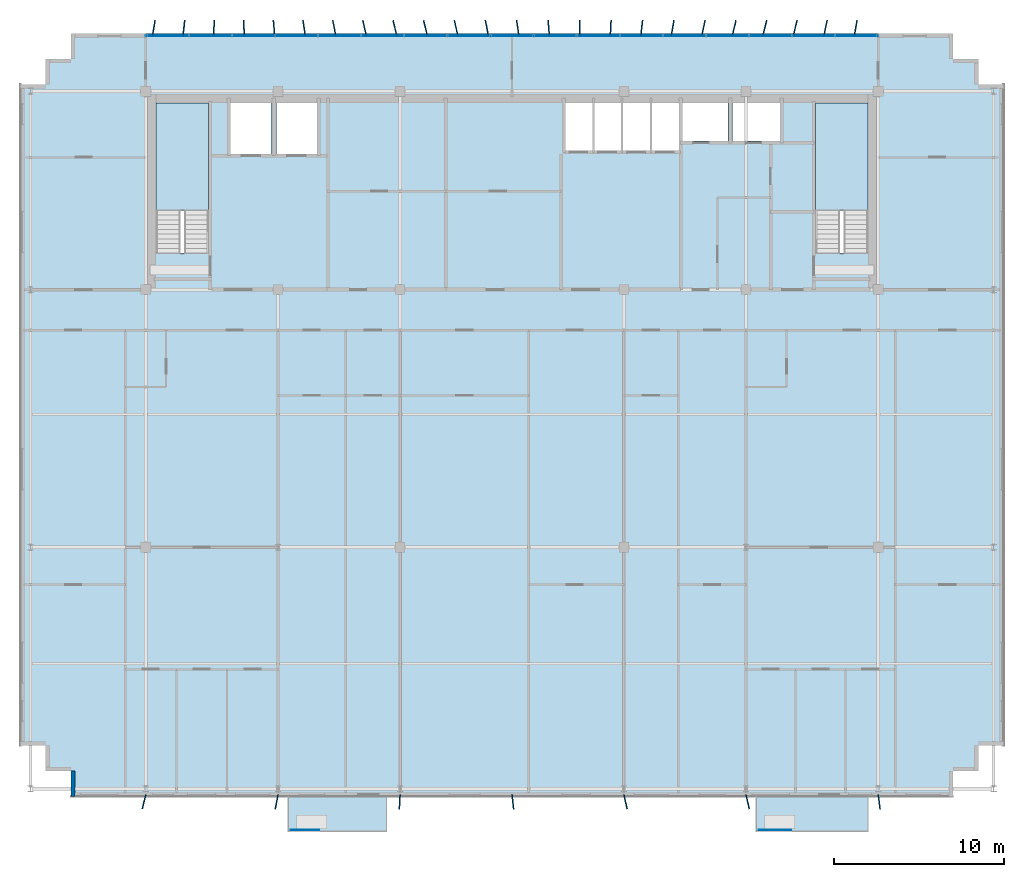
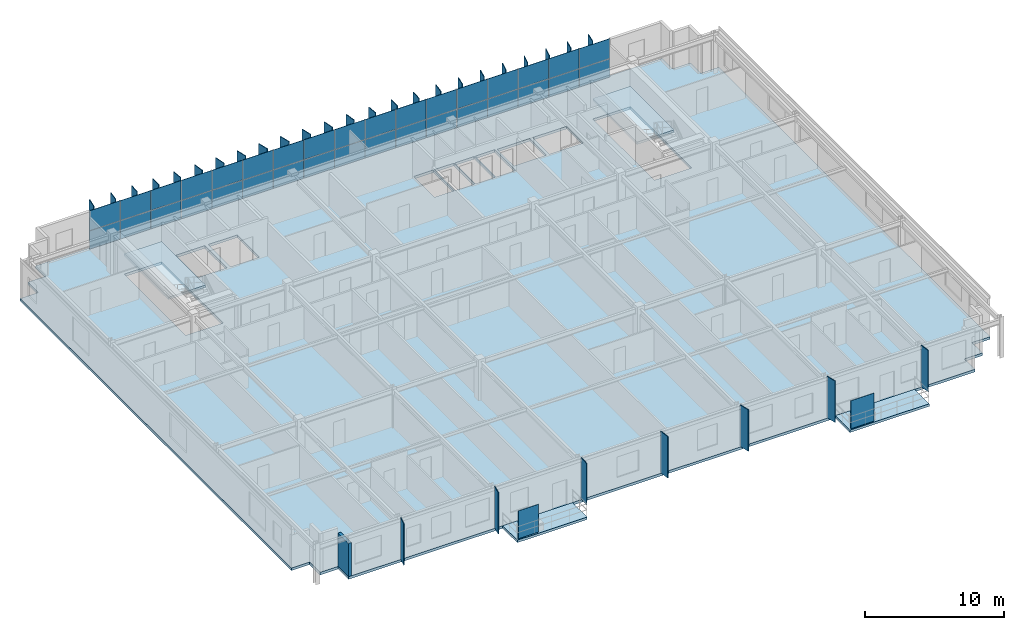
# One storey, part 15 of 22: 67 plates, 5 slabs, 1 wall, 3 elements without a shape of their own.
"""IFC4 building model written with IfcOpenShell, lengths in metres."""

from ifc_helpers import new_model, si_unit, direction, frame, frame_2d, origin, origin_2d, place, context, subcontext, project, spatial, polyline, rectangle, outline, extrude, source, transform, mapped, material, layer, layer_set, type_object, element, aggregate, save


model = new_model("IFC4")

# Units and contexts
model_context = context("Model", 3, precision=1e-05, world=origin(), true_north=direction((0.0, 1.0)))
body_context = subcontext(model_context, "Body", "Model", "MODEL_VIEW")
ifc_project = project(units=[si_unit("LENGTHUNIT", "METRE"), si_unit("AREAUNIT", "SQUARE_METRE"), si_unit("VOLUMEUNIT", "CUBIC_METRE"), si_unit("PLANEANGLEUNIT", "RADIAN"), si_unit("MASSUNIT", "GRAM", prefix="KILO")], contexts=[model_context])

# Site, building, storey
site_placement = place(None, origin())
site = spatial("IfcSite", under=ifc_project, at=site_placement, CompositionType="ELEMENT")
building_placement = place(site_placement, origin())
building = spatial("IfcBuilding", under=site, at=building_placement, Name="Trelvane Seafront Commons", CompositionType="ELEMENT")
storey_placement = place(building_placement, frame((0.0, 0.0, 281.10009765625)))
storey = spatial("IfcBuildingStorey", under=building, at=storey_placement, Name="L73", CompositionType="ELEMENT", Elevation=281.10009765625)

# Slabs
ifc_material_1 = material(Name="Concrete C40/50", Category="concrete")
ifc_layer_1 = layer(ifc_material_1, 0.219970703125, Name="ARCH-BALC-220")
ifc_layer_set_1 = layer_set([ifc_layer_1], Name="Concrete C40/50")
slab_type_1 = type_object("IfcSlabType", Name="ARCH-BALC-220", PredefinedType="FLOOR", material=ifc_layer_set_1)
slab_1_placement = place(storey_placement, frame((0.0, 0.0, -0.22021484375)))
element("IfcSlab", 1, at=slab_1_placement, inside=storey, type_object=slab_type_1, Name="L73 Cantilevered Tree Balcony Loggia 2", PredefinedType="FLOOR", context=body_context, shape_type="SweptSolid", body=[
    extrude(outline(polyline([(24.0, 1.39990234375), (29.800048828125, 1.39990234375), (29.800048828125, 3.5), (24.0, 3.5), (24.0, 1.39990234375)])), origin(), (0.0, 0.0, 1.0), 0.22021484375),
])
slab_2_placement = place(storey_placement, frame((0.0, 0.0, -0.22021484375)))
element("IfcSlab", 2, at=slab_2_placement, inside=storey, type_object=slab_type_1, Name="L73 Cantilevered Tree Balcony Loggia 3", PredefinedType="FLOOR", context=body_context, shape_type="SweptSolid", body=[
    extrude(outline(polyline([(51.60009765625, 1.39990234375), (58.199951171875, 1.39990234375), (58.199951171875, 3.5), (51.60009765625, 3.5), (51.60009765625, 1.39990234375)])), origin(), (0.0, 0.0, 1.0), 0.22021484375),
])

# Stair, slab
stair_type_1 = type_object("IfcStairType", Name="ARCH-STR-ST-1-R20-180", PredefinedType="HALF_TURN_STAIR", material=ifc_material_1)
stair_1_placement = place(storey_placement, origin())
stair_1 = element("IfcStair", 3, at=stair_1_placement, inside=storey, type_object=stair_type_1, Name="L73 West Protected Firefighting Exit Stair ST-1", PredefinedType="HALF_TURN_STAIR")
ifc_layer_2 = layer(ifc_material_1, 0.199951171875, Name="ARCH-LND-200")
ifc_layer_set_2 = layer_set([ifc_layer_2], Name="Concrete C40/50")
slab_type_2 = type_object("IfcSlabType", Name="ARCH-LND-200", PredefinedType="LANDING", material=ifc_layer_set_2)
slab_3_placement = place(storey_placement, frame((0.0, 0.0, 1.599853515625)))
slab_3 = element("IfcSlab", 4, at=slab_3_placement, type_object=slab_type_2, Name="ST-1 landing 1", PredefinedType="LANDING", context=body_context, shape_type="SweptSolid", body=[
    extrude(outline(polyline([(19.300048828125, 38.070068359375), (19.300048828125, 44.39990234375), (16.199951171875, 44.39990234375), (16.199951171875, 38.070068359375), (19.300048828125, 38.070068359375)])), origin(), (0.0, 0.0, 1.0), 0.199951171875),
])
aggregate(stair_1, [slab_3])

stair_type_2 = type_object("IfcStairType", Name="ARCH-STR-ST-2-R20-180", PredefinedType="HALF_TURN_STAIR", material=ifc_material_1)
stair_2_placement = place(storey_placement, origin())
stair_2 = element("IfcStair", 5, at=stair_2_placement, inside=storey, type_object=stair_type_2, Name="L73 East Protected Firefighting Exit Stair ST-2", PredefinedType="HALF_TURN_STAIR")
slab_4_placement = place(storey_placement, frame((0.0, 0.0, 1.599853515625)))
slab_4 = element("IfcSlab", 6, at=slab_4_placement, type_object=slab_type_2, Name="ST-2 landing 1", PredefinedType="LANDING", context=body_context, shape_type="SweptSolid", body=[
    extrude(outline(polyline([(58.199951171875, 38.070068359375), (58.199951171875, 44.39990234375), (55.10009765625, 44.39990234375), (55.10009765625, 38.070068359375), (58.199951171875, 38.070068359375)])), origin(), (0.0, 0.0, 1.0), 0.199951171875),
])
aggregate(stair_2, [slab_4])

# Slab
ifc_material_2 = material(Name="Concrete C50/60", Category="concrete")
ifc_layer_3 = layer(ifc_material_2, 0.22998046875, Name="STR-SLB-Z5-230")
ifc_layer_set_3 = layer_set([ifc_layer_3], Name="Concrete C50/60")
slab_type_3 = type_object("IfcSlabType", Name="STR-SLB-Z5-230", PredefinedType="FLOOR", material=ifc_layer_set_3)
slab_5_placement = place(storey_placement, frame((0.0, 0.0, -0.22998046875)))
element("IfcSlab", 7, at=slab_5_placement, inside=storey, type_object=slab_type_3, Name="L73 Structural Floor Slab", PredefinedType="FLOOR", context=body_context, shape_type="SweptSolid", body=[
    extrude(outline(polyline([(11.199951171875, 3.5), (63.199951171875, 3.5), (63.199951171875, 5.0), (64.699951171875, 5.0), (64.699951171875, 6.5), (66.199951171875, 6.5), (66.199951171875, 45.5), (64.699951171875, 45.5), (64.699951171875, 47.0), (63.199951171875, 47.0), (63.199951171875, 48.5), (11.199951171875, 48.5), (11.199951171875, 47.0), (9.699951171875, 47.0), (9.699951171875, 45.5), (8.199951171875, 45.5), (8.199951171875, 6.5), (9.699951171875, 6.5), (9.699951171875, 5.0), (11.199951171875, 5.0), (11.199951171875, 3.5)]), holes=[polyline([(19.300048828125, 35.550048828125), (16.199951171875, 35.550048828125), (16.199951171875, 44.39990234375), (19.300048828125, 44.39990234375), (19.300048828125, 35.550048828125)]), polyline([(58.199951171875, 35.550048828125), (55.10009765625, 35.550048828125), (55.10009765625, 44.39990234375), (58.199951171875, 44.39990234375), (58.199951171875, 35.550048828125)]), polyline([(23.0, 41.39990234375), (20.60009765625, 41.39990234375), (20.60009765625, 44.60009765625), (23.0, 44.60009765625), (23.0, 41.39990234375)]), polyline([(23.300048828125, 41.39990234375), (23.300048828125, 44.60009765625), (25.699951171875, 44.60009765625), (25.699951171875, 41.39990234375), (23.300048828125, 41.39990234375)]), polyline([(40.35009765625, 41.60009765625), (40.35009765625, 44.60009765625), (41.969970703125, 44.60009765625), (41.969970703125, 41.60009765625), (40.35009765625, 41.60009765625)]), polyline([(43.669921875, 41.60009765625), (42.050048828125, 41.60009765625), (42.050048828125, 44.60009765625), (43.669921875, 44.60009765625), (43.669921875, 41.60009765625)]), polyline([(45.3701171875, 41.60009765625), (43.75, 41.60009765625), (43.75, 44.60009765625), (45.3701171875, 44.60009765625), (45.3701171875, 41.60009765625)]), polyline([(47.070068359375, 41.60009765625), (45.449951171875, 41.60009765625), (45.449951171875, 44.60009765625), (47.070068359375, 44.60009765625), (47.070068359375, 41.60009765625)]), polyline([(47.25, 42.14990234375), (47.25, 44.550048828125), (49.949951171875, 44.550048828125), (49.949951171875, 42.14990234375), (47.25, 42.14990234375)]), polyline([(50.199951171875, 42.14990234375), (50.199951171875, 44.550048828125), (53.0, 44.550048828125), (53.0, 42.14990234375), (50.199951171875, 42.14990234375)])]), origin(), (0.0, 0.0, 1.0), 0.22998046875),
])

# Plates
ifc_material_3 = material(Name="Perforated anodised aluminium screen", Category="aluminium")
ifc_layer_4 = layer(ifc_material_3, 0.01611328125, Name="ARCH-PLATE-SCREEN")
ifc_layer_set_4 = layer_set([ifc_layer_4], Name="Perforated anodised aluminium screen")
plate_type_1 = type_object("IfcPlateType", Name="ARCH-PLATE-SCREEN", PredefinedType="USERDEFINED", material=ifc_layer_set_4)
shared_shape_1 = source(origin(), body_context, "Body", "SweptSolid", [
    extrude(rectangle(XDim=1.9140625, YDim=0.01611328125, at=origin_2d()), origin(), (0.0, 0.0, 1.0), 2.449951171875),
])
plate_1_placement = place(storey_placement, frame((52.70703125, 1.52001953125, 0.0), z_axis=(0.0, 0.0, 1.0), x_axis=(1.0, 0.0, 0.0)))
element("IfcPlate", 8, at=plate_1_placement, inside=storey, type_object=plate_type_1, Name="SCR-L73-00254", ObjectType="SCREEN", PredefinedType="USERDEFINED", context=body_context, shape_type="MappedRepresentation", body=[
    mapped(shared_shape_1, transform((0.0, 0.0, 0.0), x_axis=(1.0, 0.0, 0.0), y_axis=(0.0, 1.0, 0.0), z_axis=(0.0, 0.0, 1.0), scale=1.0)),
])
shared_shape_2 = source(origin(), body_context, "Body", "SweptSolid", [
    extrude(rectangle(XDim=1.681884765625, YDim=0.01611328125, at=origin_2d()), origin(), (0.0, 0.0, 1.0), 2.449951171875),
])
plate_2_placement = place(storey_placement, frame((24.990966796875, 1.52001953125, 0.0), z_axis=(0.0, 0.0, 1.0), x_axis=(1.0, 0.0, 0.0)))
element("IfcPlate", 9, at=plate_2_placement, inside=storey, type_object=plate_type_1, Name="SCR-L73-00253", ObjectType="SCREEN", PredefinedType="USERDEFINED", context=body_context, shape_type="MappedRepresentation", body=[
    mapped(shared_shape_2, transform((0.0, 0.0, 0.0), x_axis=(1.0, 0.0, 0.0), y_axis=(0.0, 1.0, 0.0), z_axis=(0.0, 0.0, 1.0), scale=1.0)),
])
ifc_material_4 = material(Name="Anodised pale-silver aluminium", Category="aluminium")
ifc_layer_5 = layer(ifc_material_4, 0.06005859375, Name="ARCH-PLATE-FIN900")
ifc_layer_set_5 = layer_set([ifc_layer_5], Name="Anodised pale-silver aluminium")
plate_type_2 = type_object("IfcPlateType", Name="ARCH-PLATE-FIN900", PredefinedType="USERDEFINED", material=ifc_layer_set_5)
shared_shape_3 = source(origin(), body_context, "Body", "SweptSolid", [
    extrude(rectangle(XDim=0.89990234375, YDim=0.06005859375, at=origin_2d()), origin(), (0.0, 0.0, 1.0), 3.639892578125),
])
for number, where, z_axis, x_axis, name in (
    (10, (16.074462890625, 48.84375, -0.02001953125), (0.0, 0.0, 1.0), (0.165443512968, 0.986219267717, 0.0), "FIN-L73-02035"),
    (11, (17.85009765625, 48.84716796875, -0.02001953125), (0.0, 0.0, 1.0), (0.111442915385, 0.99377083707, 0.0), "FIN-L73-02036"),
    (12, (19.6220703125, 48.849609375, -0.02001953125), (0.0, 0.0, 1.0), (0.048889864404, 0.998804175581, 0.0), "FIN-L73-02037"),
    (13, (21.39208984375, 48.849853515625, -0.02001953125), (0.0, 0.0, 1.0), (-0.017443681119, 0.999847847419, 0.0), "FIN-L73-02038"),
    (14, (23.162841796875, 48.848388671875, -0.02001953125), (0.0, 0.0, 1.0), (-0.082448159787, 0.996595354669, 0.0), "FIN-L73-02039"),
    (15, (24.9365234375, 48.845458984375, -0.02001953125), (0.0, 0.0, 1.0), (-0.141110306781, 0.989993879436, 0.0), "FIN-L73-02040"),
    (16, (26.715087890625, 48.841796875, -0.02001953125), (0.0, 0.0, 1.0), (-0.188888063982, 0.98199862489, 0.0), "FIN-L73-02041"),
    (17, (28.5, 48.838623046875, -0.02001953125), (0.0, 0.0, 1.0), (-0.222562743762, 0.974918368423, 0.0), "FIN-L73-02042"),
    (18, (30.2919921875, 48.8369140625, -0.02001953125), (0.0, 0.0, 1.0), (-0.239789215002, 0.970824975147, 0.0), "FIN-L73-02043"),
    (19, (32.09228515625, 48.8369140625, -0.02001953125), (0.0, 0.0, 1.0), (-0.239553685065, 0.970883119625, 0.0), "FIN-L73-02044"),
    (20, (33.900146484375, 48.8388671875, -0.02001953125), (0.0, 0.0, 1.0), (-0.221880366337, 0.975073896192, 0.0), "FIN-L73-02045"),
    (21, (35.71533203125, 48.842041015625, -0.02001953125), (0.0, 0.0, 1.0), (-0.187883613562, 0.982191298961, 0.0), "FIN-L73-02046"),
    (22, (37.537109375, 48.845703125, -0.02001953125), (0.0, 0.0, 1.0), (-0.139772810708, 0.990183599837, 0.0), "FIN-L73-02047"),
    (23, (39.363525390625, 48.848388671875, -0.02001953125), (0.0, 0.0, 1.0), (-0.081004382552, 0.996713745269, 0.0), "FIN-L73-02048"),
    (24, (41.19287109375, 48.849853515625, -0.02001953125), (0.0, 0.0, 1.0), (-0.015888808901, 0.999873764908, 0.0), "FIN-L73-02049"),
    (25, (43.022705078125, 48.849609375, -0.02001953125), (0.0, 0.0, 1.0), (0.050441290307, 0.998727027887, 0.0), "FIN-L73-02050"),
    (26, (44.850830078125, 48.84716796875, -0.02001953125), (0.0, 0.0, 1.0), (0.112894536726, 0.993606976413, 0.0), "FIN-L73-02051"),
    (27, (46.6748046875, 48.84375, -0.02001953125), (0.0, 0.0, 1.0), (0.166560515584, 0.986031234114, 0.0), "FIN-L73-02052"),
    (28, (48.493408203125, 48.840087890625, -0.02001953125), (0.0, 0.0, 1.0), (0.207662434386, 0.978200548633, 0.0), "FIN-L73-02053"),
    (29, (50.304931640625, 48.837646484375, -0.02001953125), (0.0, 0.0, 1.0), (0.233323170405, 0.97239924833, 0.0), "FIN-L73-02054"),
    (30, (52.10888671875, 48.836669921875, -0.02001953125), (0.0, 0.0, 1.0), (0.241881251735, 0.970305859025, 0.0), "FIN-L73-02055"),
    (31, (53.90478515625, 48.837646484375, -0.02001953125), (0.0, 0.0, 1.0), (0.232902253662, 0.972500149223, 0.0), "FIN-L73-02056"),
    (32, (55.693115234375, 48.840087890625, -0.02001953125), (0.0, 0.0, 1.0), (0.206895801068, 0.978362983509, 0.0), "FIN-L73-02057"),
    (33, (57.474609375, 48.84375, -0.02001953125), (0.0, 0.0, 1.0), (0.165443512968, 0.986219267717, 0.0), "FIN-L73-02058"),
):
    element("IfcPlate", number, at=place(storey_placement, frame(where, z_axis=z_axis, x_axis=x_axis)), inside=storey, type_object=plate_type_2, Name=name, ObjectType="FIN", PredefinedType="USERDEFINED", context=body_context, shape_type="MappedRepresentation", body=[
        mapped(shared_shape_3, transform((0.0, 0.0, 0.0), x_axis=(1.0, 0.0, 0.0), y_axis=(0.0, 1.0, 0.0), z_axis=(0.0, 0.0, 1.0), scale=1.0)),
    ])
shared_shape_4 = source(origin(), body_context, "Body", "SweptSolid", [
    extrude(rectangle(XDim=0.85009765625, YDim=0.06005859375, at=origin_2d()), origin(), (0.0, 0.0, 1.0), 3.639892578125),
])
for number, where, z_axis, x_axis, name in (
    (34, (15.497314453125, 3.1875, -0.02001953125), (0.0, 0.0, 1.0), (-0.241649234884, -0.970363667539, 0.0), "FIN-S-L73-02059"),
    (35, (23.318115234375, 3.18310546875, -0.02001953125), (0.0, 0.0, 1.0), (-0.192948405351, -0.981208903788, 0.0), "FIN-S-L73-02060"),
    (36, (30.577392578125, 3.175537109375, -0.02001953125), (0.0, 0.0, 1.0), (-0.053059261447, -0.998591365261, 0.0), "FIN-S-L73-02061"),
    (37, (37.248046875, 3.177734375, -0.02001953125), (0.0, 0.0, 1.0), (0.112819967041, -0.993615446255, 0.0), "FIN-S-L73-02062"),
    (38, (43.895263671875, 3.185791015625, -0.02001953125), (0.0, 0.0, 1.0), (0.224112577062, -0.974563262597, 0.0), "FIN-S-L73-02063"),
    (39, (51.097900390625, 3.186279296875, -0.02001953125), (0.0, 0.0, 1.0), (0.23058643372, -0.973051846812, 0.0), "FIN-S-L73-02064"),
    (40, (58.85498046875, 3.1787109375, -0.02001953125), (0.0, 0.0, 1.0), (0.12953460922, -0.991574901364, 0.0), "FIN-S-L73-02065"),
):
    element("IfcPlate", number, at=place(storey_placement, frame(where, z_axis=z_axis, x_axis=x_axis)), inside=storey, type_object=plate_type_2, Name=name, ObjectType="FIN", PredefinedType="USERDEFINED", context=body_context, shape_type="MappedRepresentation", body=[
        mapped(shared_shape_4, transform((0.0, 0.0, 0.0), x_axis=(1.0, 0.0, 0.0), y_axis=(0.0, 1.0, 0.0), z_axis=(0.0, 0.0, 1.0), scale=1.0)),
    ])

# Curtain wall, plates
curtain_wall_type = type_object("IfcCurtainWallType", Name="ARCH-CW5-UPTOWER", PredefinedType="NOTDEFINED", material=ifc_material_4)
curtain_wall_placement = place(storey_placement, origin())
curtain_wall = element("IfcCurtainWall", 41, at=curtain_wall_placement, inside=storey, type_object=curtain_wall_type, Name="CW-L73-0117", PredefinedType="NOTDEFINED")
ifc_material_5 = material(Name="Low-E coastal double glazing", Category="glass")
ifc_layer_6 = layer(ifc_material_5, 0.033935546875, Name="ARCH-CW-GLAZ-34")
ifc_layer_set_6 = layer_set([ifc_layer_6], Name="Low-E coastal double glazing")
plate_type_3 = type_object("IfcPlateType", Name="ARCH-CW-GLAZ-34", PredefinedType="CURTAIN_PANEL", material=ifc_layer_set_6)
shared_shape_5 = source(origin(), body_context, "Body", "SweptSolid", [
    extrude(rectangle(XDim=2.51708984375, YDim=0.033935546875, at=origin_2d()), origin(), (0.0, 0.0, 1.0), 1.60009765625),
])
plate_3_placement = place(storey_placement, frame((16.87060546875, 48.3701171875, -0.000244140625), z_axis=(0.0, 0.0, 1.0), x_axis=(1.0, 0.0, 0.0)))
plate_3 = element("IfcPlate", 42, at=plate_3_placement, type_object=plate_type_3, Name="CW-L73-0117-P00-1", PredefinedType="CURTAIN_PANEL", context=body_context, shape_type="MappedRepresentation", body=[
    mapped(shared_shape_5, transform((0.0, 0.0, 0.0), x_axis=(1.0, 0.0, 0.0), y_axis=(0.0, 1.0, 0.0), z_axis=(0.0, 0.0, 1.0), scale=1.0)),
])
plate_4_placement = place(storey_placement, frame((19.411865234375, 48.3701171875, -0.000244140625), z_axis=(0.0, 0.0, 1.0), x_axis=(1.0, 0.0, 0.0)))
plate_4 = element("IfcPlate", 43, at=plate_4_placement, type_object=plate_type_3, Name="CW-L73-0117-P01-1", PredefinedType="CURTAIN_PANEL", context=body_context, shape_type="MappedRepresentation", body=[
    mapped(shared_shape_5, transform((0.0, 0.0, 0.0), x_axis=(1.0, 0.0, 0.0), y_axis=(0.0, 1.0, 0.0), z_axis=(0.0, 0.0, 1.0), scale=1.0)),
])
plate_5_placement = place(storey_placement, frame((21.952880859375, 48.3701171875, -0.000244140625), z_axis=(0.0, 0.0, 1.0), x_axis=(1.0, 0.0, 0.0)))
plate_5 = element("IfcPlate", 44, at=plate_5_placement, type_object=plate_type_3, Name="CW-L73-0117-P02-1", PredefinedType="CURTAIN_PANEL", context=body_context, shape_type="MappedRepresentation", body=[
    mapped(shared_shape_5, transform((0.0, 0.0, 0.0), x_axis=(1.0, 0.0, 0.0), y_axis=(0.0, 1.0, 0.0), z_axis=(0.0, 0.0, 1.0), scale=1.0)),
])
plate_6_placement = place(storey_placement, frame((24.494140625, 48.3701171875, -0.000244140625), z_axis=(0.0, 0.0, 1.0), x_axis=(1.0, 0.0, 0.0)))
plate_6 = element("IfcPlate", 45, at=plate_6_placement, type_object=plate_type_3, Name="CW-L73-0117-P03-1", PredefinedType="CURTAIN_PANEL", context=body_context, shape_type="MappedRepresentation", body=[
    mapped(shared_shape_5, transform((0.0, 0.0, 0.0), x_axis=(1.0, 0.0, 0.0), y_axis=(0.0, 1.0, 0.0), z_axis=(0.0, 0.0, 1.0), scale=1.0)),
])
plate_7_placement = place(storey_placement, frame((27.035400390625, 48.3701171875, -0.000244140625), z_axis=(0.0, 0.0, 1.0), x_axis=(1.0, 0.0, 0.0)))
plate_7 = element("IfcPlate", 46, at=plate_7_placement, type_object=plate_type_3, Name="CW-L73-0117-P04-1", PredefinedType="CURTAIN_PANEL", context=body_context, shape_type="MappedRepresentation", body=[
    mapped(shared_shape_5, transform((0.0, 0.0, 0.0), x_axis=(1.0, 0.0, 0.0), y_axis=(0.0, 1.0, 0.0), z_axis=(0.0, 0.0, 1.0), scale=1.0)),
])
plate_8_placement = place(storey_placement, frame((29.576416015625, 48.3701171875, -0.000244140625), z_axis=(0.0, 0.0, 1.0), x_axis=(1.0, 0.0, 0.0)))
plate_8 = element("IfcPlate", 47, at=plate_8_placement, type_object=plate_type_3, Name="CW-L73-0117-P05-1", PredefinedType="CURTAIN_PANEL", context=body_context, shape_type="MappedRepresentation", body=[
    mapped(shared_shape_5, transform((0.0, 0.0, 0.0), x_axis=(1.0, 0.0, 0.0), y_axis=(0.0, 1.0, 0.0), z_axis=(0.0, 0.0, 1.0), scale=1.0)),
])
plate_9_placement = place(storey_placement, frame((32.11767578125, 48.3701171875, -0.000244140625), z_axis=(0.0, 0.0, 1.0), x_axis=(1.0, 0.0, 0.0)))
plate_9 = element("IfcPlate", 48, at=plate_9_placement, type_object=plate_type_3, Name="CW-L73-0117-P06-1", PredefinedType="CURTAIN_PANEL", context=body_context, shape_type="MappedRepresentation", body=[
    mapped(shared_shape_5, transform((0.0, 0.0, 0.0), x_axis=(1.0, 0.0, 0.0), y_axis=(0.0, 1.0, 0.0), z_axis=(0.0, 0.0, 1.0), scale=1.0)),
])
plate_10_placement = place(storey_placement, frame((34.65869140625, 48.3701171875, -0.000244140625), z_axis=(0.0, 0.0, 1.0), x_axis=(1.0, 0.0, 0.0)))
plate_10 = element("IfcPlate", 49, at=plate_10_placement, type_object=plate_type_3, Name="CW-L73-0117-P07-1", PredefinedType="CURTAIN_PANEL", context=body_context, shape_type="MappedRepresentation", body=[
    mapped(shared_shape_5, transform((0.0, 0.0, 0.0), x_axis=(1.0, 0.0, 0.0), y_axis=(0.0, 1.0, 0.0), z_axis=(0.0, 0.0, 1.0), scale=1.0)),
])
plate_11_placement = place(storey_placement, frame((37.199951171875, 48.3701171875, -0.000244140625), z_axis=(0.0, 0.0, 1.0), x_axis=(1.0, 0.0, 0.0)))
plate_11 = element("IfcPlate", 50, at=plate_11_placement, type_object=plate_type_3, Name="CW-L73-0117-P08-1", PredefinedType="CURTAIN_PANEL", context=body_context, shape_type="MappedRepresentation", body=[
    mapped(shared_shape_5, transform((0.0, 0.0, 0.0), x_axis=(1.0, 0.0, 0.0), y_axis=(0.0, 1.0, 0.0), z_axis=(0.0, 0.0, 1.0), scale=1.0)),
])
plate_12_placement = place(storey_placement, frame((39.7412109375, 48.3701171875, -0.000244140625), z_axis=(0.0, 0.0, 1.0), x_axis=(1.0, 0.0, 0.0)))
plate_12 = element("IfcPlate", 51, at=plate_12_placement, type_object=plate_type_3, Name="CW-L73-0117-P09-1", PredefinedType="CURTAIN_PANEL", context=body_context, shape_type="MappedRepresentation", body=[
    mapped(shared_shape_5, transform((0.0, 0.0, 0.0), x_axis=(1.0, 0.0, 0.0), y_axis=(0.0, 1.0, 0.0), z_axis=(0.0, 0.0, 1.0), scale=1.0)),
])
plate_13_placement = place(storey_placement, frame((42.282470703125, 48.3701171875, -0.000244140625), z_axis=(0.0, 0.0, 1.0), x_axis=(1.0, 0.0, 0.0)))
plate_13 = element("IfcPlate", 52, at=plate_13_placement, type_object=plate_type_3, Name="CW-L73-0117-P10-1", PredefinedType="CURTAIN_PANEL", context=body_context, shape_type="MappedRepresentation", body=[
    mapped(shared_shape_5, transform((0.0, 0.0, 0.0), x_axis=(1.0, 0.0, 0.0), y_axis=(0.0, 1.0, 0.0), z_axis=(0.0, 0.0, 1.0), scale=1.0)),
])
plate_14_placement = place(storey_placement, frame((44.823486328125, 48.3701171875, -0.000244140625), z_axis=(0.0, 0.0, 1.0), x_axis=(1.0, 0.0, 0.0)))
plate_14 = element("IfcPlate", 53, at=plate_14_placement, type_object=plate_type_3, Name="CW-L73-0117-P11-1", PredefinedType="CURTAIN_PANEL", context=body_context, shape_type="MappedRepresentation", body=[
    mapped(shared_shape_5, transform((0.0, 0.0, 0.0), x_axis=(1.0, 0.0, 0.0), y_axis=(0.0, 1.0, 0.0), z_axis=(0.0, 0.0, 1.0), scale=1.0)),
])
plate_15_placement = place(storey_placement, frame((47.36474609375, 48.3701171875, -0.000244140625), z_axis=(0.0, 0.0, 1.0), x_axis=(1.0, 0.0, 0.0)))
plate_15 = element("IfcPlate", 54, at=plate_15_placement, type_object=plate_type_3, Name="CW-L73-0117-P12-1", PredefinedType="CURTAIN_PANEL", context=body_context, shape_type="MappedRepresentation", body=[
    mapped(shared_shape_5, transform((0.0, 0.0, 0.0), x_axis=(1.0, 0.0, 0.0), y_axis=(0.0, 1.0, 0.0), z_axis=(0.0, 0.0, 1.0), scale=1.0)),
])
plate_16_placement = place(storey_placement, frame((49.906005859375, 48.3701171875, -0.000244140625), z_axis=(0.0, 0.0, 1.0), x_axis=(1.0, 0.0, 0.0)))
plate_16 = element("IfcPlate", 55, at=plate_16_placement, type_object=plate_type_3, Name="CW-L73-0117-P13-1", PredefinedType="CURTAIN_PANEL", context=body_context, shape_type="MappedRepresentation", body=[
    mapped(shared_shape_5, transform((0.0, 0.0, 0.0), x_axis=(1.0, 0.0, 0.0), y_axis=(0.0, 1.0, 0.0), z_axis=(0.0, 0.0, 1.0), scale=1.0)),
])
plate_17_placement = place(storey_placement, frame((52.447021484375, 48.3701171875, -0.000244140625), z_axis=(0.0, 0.0, 1.0), x_axis=(1.0, 0.0, 0.0)))
plate_17 = element("IfcPlate", 56, at=plate_17_placement, type_object=plate_type_3, Name="CW-L73-0117-P14-1", PredefinedType="CURTAIN_PANEL", context=body_context, shape_type="MappedRepresentation", body=[
    mapped(shared_shape_5, transform((0.0, 0.0, 0.0), x_axis=(1.0, 0.0, 0.0), y_axis=(0.0, 1.0, 0.0), z_axis=(0.0, 0.0, 1.0), scale=1.0)),
])
plate_18_placement = place(storey_placement, frame((54.98828125, 48.3701171875, -0.000244140625), z_axis=(0.0, 0.0, 1.0), x_axis=(1.0, 0.0, 0.0)))
plate_18 = element("IfcPlate", 57, at=plate_18_placement, type_object=plate_type_3, Name="CW-L73-0117-P15-1", PredefinedType="CURTAIN_PANEL", context=body_context, shape_type="MappedRepresentation", body=[
    mapped(shared_shape_5, transform((0.0, 0.0, 0.0), x_axis=(1.0, 0.0, 0.0), y_axis=(0.0, 1.0, 0.0), z_axis=(0.0, 0.0, 1.0), scale=1.0)),
])
plate_19_placement = place(storey_placement, frame((57.529296875, 48.3701171875, -0.000244140625), z_axis=(0.0, 0.0, 1.0), x_axis=(1.0, 0.0, 0.0)))
plate_19 = element("IfcPlate", 58, at=plate_19_placement, type_object=plate_type_3, Name="CW-L73-0117-P16-1", PredefinedType="CURTAIN_PANEL", context=body_context, shape_type="MappedRepresentation", body=[
    mapped(shared_shape_5, transform((0.0, 0.0, 0.0), x_axis=(1.0, 0.0, 0.0), y_axis=(0.0, 1.0, 0.0), z_axis=(0.0, 0.0, 1.0), scale=1.0)),
])
shared_shape_6 = source(origin(), body_context, "Body", "SweptSolid", [
    extrude(rectangle(XDim=2.51708984375, YDim=0.033935546875, at=origin_2d()), origin(), (0.0, 0.0, 1.0), 1.73388671875),
])
plate_20_placement = place(storey_placement, frame((16.87060546875, 48.3701171875, 1.635986328125), z_axis=(0.0, 0.0, 1.0), x_axis=(1.0, 0.0, 0.0)))
plate_20 = element("IfcPlate", 59, at=plate_20_placement, type_object=plate_type_3, Name="CW-L73-0117-P00-2", PredefinedType="CURTAIN_PANEL", context=body_context, shape_type="MappedRepresentation", body=[
    mapped(shared_shape_6, transform((0.0, 0.0, 0.0), x_axis=(1.0, 0.0, 0.0), y_axis=(0.0, 1.0, 0.0), z_axis=(0.0, 0.0, 1.0), scale=1.0)),
])
plate_21_placement = place(storey_placement, frame((19.411865234375, 48.3701171875, 1.635986328125), z_axis=(0.0, 0.0, 1.0), x_axis=(1.0, 0.0, 0.0)))
plate_21 = element("IfcPlate", 60, at=plate_21_placement, type_object=plate_type_3, Name="CW-L73-0117-P01-2", PredefinedType="CURTAIN_PANEL", context=body_context, shape_type="MappedRepresentation", body=[
    mapped(shared_shape_6, transform((0.0, 0.0, 0.0), x_axis=(1.0, 0.0, 0.0), y_axis=(0.0, 1.0, 0.0), z_axis=(0.0, 0.0, 1.0), scale=1.0)),
])
plate_22_placement = place(storey_placement, frame((21.952880859375, 48.3701171875, 1.635986328125), z_axis=(0.0, 0.0, 1.0), x_axis=(1.0, 0.0, 0.0)))
plate_22 = element("IfcPlate", 61, at=plate_22_placement, type_object=plate_type_3, Name="CW-L73-0117-P02-2", PredefinedType="CURTAIN_PANEL", context=body_context, shape_type="MappedRepresentation", body=[
    mapped(shared_shape_6, transform((0.0, 0.0, 0.0), x_axis=(1.0, 0.0, 0.0), y_axis=(0.0, 1.0, 0.0), z_axis=(0.0, 0.0, 1.0), scale=1.0)),
])
plate_23_placement = place(storey_placement, frame((24.494140625, 48.3701171875, 1.635986328125), z_axis=(0.0, 0.0, 1.0), x_axis=(1.0, 0.0, 0.0)))
plate_23 = element("IfcPlate", 62, at=plate_23_placement, type_object=plate_type_3, Name="CW-L73-0117-P03-2", PredefinedType="CURTAIN_PANEL", context=body_context, shape_type="MappedRepresentation", body=[
    mapped(shared_shape_6, transform((0.0, 0.0, 0.0), x_axis=(1.0, 0.0, 0.0), y_axis=(0.0, 1.0, 0.0), z_axis=(0.0, 0.0, 1.0), scale=1.0)),
])
plate_24_placement = place(storey_placement, frame((27.035400390625, 48.3701171875, 1.635986328125), z_axis=(0.0, 0.0, 1.0), x_axis=(1.0, 0.0, 0.0)))
plate_24 = element("IfcPlate", 63, at=plate_24_placement, type_object=plate_type_3, Name="CW-L73-0117-P04-2", PredefinedType="CURTAIN_PANEL", context=body_context, shape_type="MappedRepresentation", body=[
    mapped(shared_shape_6, transform((0.0, 0.0, 0.0), x_axis=(1.0, 0.0, 0.0), y_axis=(0.0, 1.0, 0.0), z_axis=(0.0, 0.0, 1.0), scale=1.0)),
])
plate_25_placement = place(storey_placement, frame((29.576416015625, 48.3701171875, 1.635986328125), z_axis=(0.0, 0.0, 1.0), x_axis=(1.0, 0.0, 0.0)))
plate_25 = element("IfcPlate", 64, at=plate_25_placement, type_object=plate_type_3, Name="CW-L73-0117-P05-2", PredefinedType="CURTAIN_PANEL", context=body_context, shape_type="MappedRepresentation", body=[
    mapped(shared_shape_6, transform((0.0, 0.0, 0.0), x_axis=(1.0, 0.0, 0.0), y_axis=(0.0, 1.0, 0.0), z_axis=(0.0, 0.0, 1.0), scale=1.0)),
])
plate_26_placement = place(storey_placement, frame((32.11767578125, 48.3701171875, 1.635986328125), z_axis=(0.0, 0.0, 1.0), x_axis=(1.0, 0.0, 0.0)))
plate_26 = element("IfcPlate", 65, at=plate_26_placement, type_object=plate_type_3, Name="CW-L73-0117-P06-2", PredefinedType="CURTAIN_PANEL", context=body_context, shape_type="MappedRepresentation", body=[
    mapped(shared_shape_6, transform((0.0, 0.0, 0.0), x_axis=(1.0, 0.0, 0.0), y_axis=(0.0, 1.0, 0.0), z_axis=(0.0, 0.0, 1.0), scale=1.0)),
])
plate_27_placement = place(storey_placement, frame((34.65869140625, 48.3701171875, 1.635986328125), z_axis=(0.0, 0.0, 1.0), x_axis=(1.0, 0.0, 0.0)))
plate_27 = element("IfcPlate", 66, at=plate_27_placement, type_object=plate_type_3, Name="CW-L73-0117-P07-2", PredefinedType="CURTAIN_PANEL", context=body_context, shape_type="MappedRepresentation", body=[
    mapped(shared_shape_6, transform((0.0, 0.0, 0.0), x_axis=(1.0, 0.0, 0.0), y_axis=(0.0, 1.0, 0.0), z_axis=(0.0, 0.0, 1.0), scale=1.0)),
])
plate_28_placement = place(storey_placement, frame((37.199951171875, 48.3701171875, 1.635986328125), z_axis=(0.0, 0.0, 1.0), x_axis=(1.0, 0.0, 0.0)))
plate_28 = element("IfcPlate", 67, at=plate_28_placement, type_object=plate_type_3, Name="CW-L73-0117-P08-2", PredefinedType="CURTAIN_PANEL", context=body_context, shape_type="MappedRepresentation", body=[
    mapped(shared_shape_6, transform((0.0, 0.0, 0.0), x_axis=(1.0, 0.0, 0.0), y_axis=(0.0, 1.0, 0.0), z_axis=(0.0, 0.0, 1.0), scale=1.0)),
])
plate_29_placement = place(storey_placement, frame((39.7412109375, 48.3701171875, 1.635986328125), z_axis=(0.0, 0.0, 1.0), x_axis=(1.0, 0.0, 0.0)))
plate_29 = element("IfcPlate", 68, at=plate_29_placement, type_object=plate_type_3, Name="CW-L73-0117-P09-2", PredefinedType="CURTAIN_PANEL", context=body_context, shape_type="MappedRepresentation", body=[
    mapped(shared_shape_6, transform((0.0, 0.0, 0.0), x_axis=(1.0, 0.0, 0.0), y_axis=(0.0, 1.0, 0.0), z_axis=(0.0, 0.0, 1.0), scale=1.0)),
])
plate_30_placement = place(storey_placement, frame((42.282470703125, 48.3701171875, 1.635986328125), z_axis=(0.0, 0.0, 1.0), x_axis=(1.0, 0.0, 0.0)))
plate_30 = element("IfcPlate", 69, at=plate_30_placement, type_object=plate_type_3, Name="CW-L73-0117-P10-2", PredefinedType="CURTAIN_PANEL", context=body_context, shape_type="MappedRepresentation", body=[
    mapped(shared_shape_6, transform((0.0, 0.0, 0.0), x_axis=(1.0, 0.0, 0.0), y_axis=(0.0, 1.0, 0.0), z_axis=(0.0, 0.0, 1.0), scale=1.0)),
])
plate_31_placement = place(storey_placement, frame((44.823486328125, 48.3701171875, 1.635986328125), z_axis=(0.0, 0.0, 1.0), x_axis=(1.0, 0.0, 0.0)))
plate_31 = element("IfcPlate", 70, at=plate_31_placement, type_object=plate_type_3, Name="CW-L73-0117-P11-2", PredefinedType="CURTAIN_PANEL", context=body_context, shape_type="MappedRepresentation", body=[
    mapped(shared_shape_6, transform((0.0, 0.0, 0.0), x_axis=(1.0, 0.0, 0.0), y_axis=(0.0, 1.0, 0.0), z_axis=(0.0, 0.0, 1.0), scale=1.0)),
])
plate_32_placement = place(storey_placement, frame((47.36474609375, 48.3701171875, 1.635986328125), z_axis=(0.0, 0.0, 1.0), x_axis=(1.0, 0.0, 0.0)))
plate_32 = element("IfcPlate", 71, at=plate_32_placement, type_object=plate_type_3, Name="CW-L73-0117-P12-2", PredefinedType="CURTAIN_PANEL", context=body_context, shape_type="MappedRepresentation", body=[
    mapped(shared_shape_6, transform((0.0, 0.0, 0.0), x_axis=(1.0, 0.0, 0.0), y_axis=(0.0, 1.0, 0.0), z_axis=(0.0, 0.0, 1.0), scale=1.0)),
])
plate_33_placement = place(storey_placement, frame((49.906005859375, 48.3701171875, 1.635986328125), z_axis=(0.0, 0.0, 1.0), x_axis=(1.0, 0.0, 0.0)))
plate_33 = element("IfcPlate", 72, at=plate_33_placement, type_object=plate_type_3, Name="CW-L73-0117-P13-2", PredefinedType="CURTAIN_PANEL", context=body_context, shape_type="MappedRepresentation", body=[
    mapped(shared_shape_6, transform((0.0, 0.0, 0.0), x_axis=(1.0, 0.0, 0.0), y_axis=(0.0, 1.0, 0.0), z_axis=(0.0, 0.0, 1.0), scale=1.0)),
])
plate_34_placement = place(storey_placement, frame((52.447021484375, 48.3701171875, 1.635986328125), z_axis=(0.0, 0.0, 1.0), x_axis=(1.0, 0.0, 0.0)))
plate_34 = element("IfcPlate", 73, at=plate_34_placement, type_object=plate_type_3, Name="CW-L73-0117-P14-2", PredefinedType="CURTAIN_PANEL", context=body_context, shape_type="MappedRepresentation", body=[
    mapped(shared_shape_6, transform((0.0, 0.0, 0.0), x_axis=(1.0, 0.0, 0.0), y_axis=(0.0, 1.0, 0.0), z_axis=(0.0, 0.0, 1.0), scale=1.0)),
])
plate_35_placement = place(storey_placement, frame((54.98828125, 48.3701171875, 1.635986328125), z_axis=(0.0, 0.0, 1.0), x_axis=(1.0, 0.0, 0.0)))
plate_35 = element("IfcPlate", 74, at=plate_35_placement, type_object=plate_type_3, Name="CW-L73-0117-P15-2", PredefinedType="CURTAIN_PANEL", context=body_context, shape_type="MappedRepresentation", body=[
    mapped(shared_shape_6, transform((0.0, 0.0, 0.0), x_axis=(1.0, 0.0, 0.0), y_axis=(0.0, 1.0, 0.0), z_axis=(0.0, 0.0, 1.0), scale=1.0)),
])
plate_36_placement = place(storey_placement, frame((57.529296875, 48.3701171875, 1.635986328125), z_axis=(0.0, 0.0, 1.0), x_axis=(1.0, 0.0, 0.0)))
plate_36 = element("IfcPlate", 75, at=plate_36_placement, type_object=plate_type_3, Name="CW-L73-0117-P16-2", PredefinedType="CURTAIN_PANEL", context=body_context, shape_type="MappedRepresentation", body=[
    mapped(shared_shape_6, transform((0.0, 0.0, 0.0), x_axis=(1.0, 0.0, 0.0), y_axis=(0.0, 1.0, 0.0), z_axis=(0.0, 0.0, 1.0), scale=1.0)),
])
aggregate(curtain_wall, [plate_3, plate_20, plate_4, plate_21, plate_5, plate_22, plate_6, plate_23, plate_7, plate_24, plate_8, plate_25, plate_9, plate_26, plate_10, plate_27, plate_11, plate_28, plate_12, plate_29, plate_13, plate_30, plate_14, plate_31, plate_15, plate_32, plate_16, plate_33, plate_17, plate_34, plate_18, plate_35, plate_19, plate_36])

# Wall
ifc_material_6 = material(Name="Precast concrete C40/50", Category="concrete")
ifc_layer_7 = layer(ifc_material_6, 0.239990234375, Name="ARCH-WALL-EXT240")
ifc_layer_set_7 = layer_set([ifc_layer_7], Name="Precast concrete C40/50")
wall_type = type_object("IfcWallType", Name="ARCH-WALL-EXT240", PredefinedType="SOLIDWALL", material=ifc_layer_set_7)
wall_placement = place(storey_placement, frame((11.320068359375, 3.5, 0.0), z_axis=(0.0, 0.0, 1.0), x_axis=(0.0, 1.0, 0.0)))
element("IfcWall", 76, at=wall_placement, inside=storey, type_object=wall_type, Name="EW-L73-01486", PredefinedType="SOLIDWALL", context=body_context, shape_type="SweptSolid", body=[
    extrude(rectangle(XDim=1.5, YDim=0.239990234375, at=frame_2d((0.75, 0.0))), origin(), (0.0, 0.0, 1.0), 2.919921875),
])

save(model, "model.ifc")
